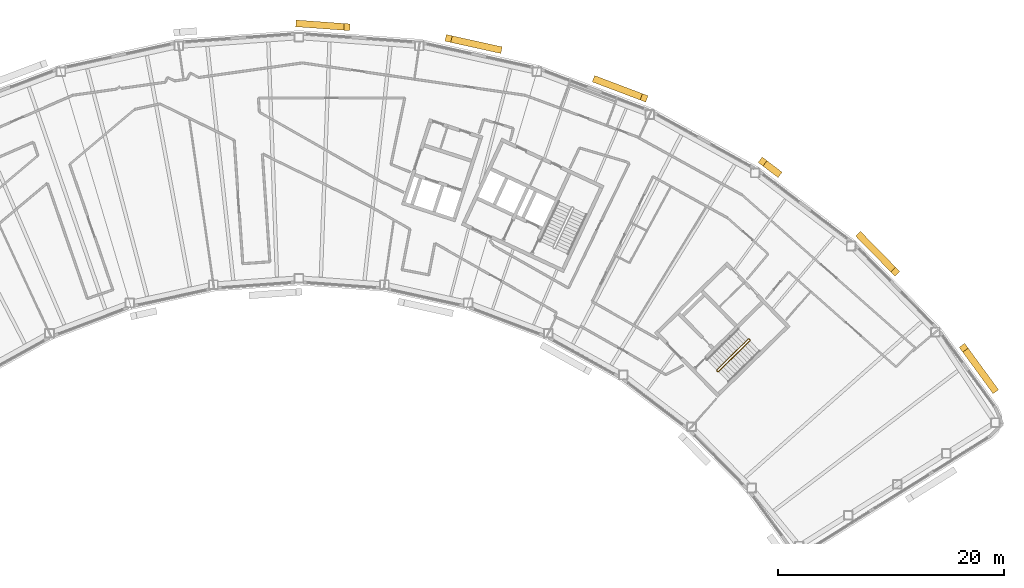
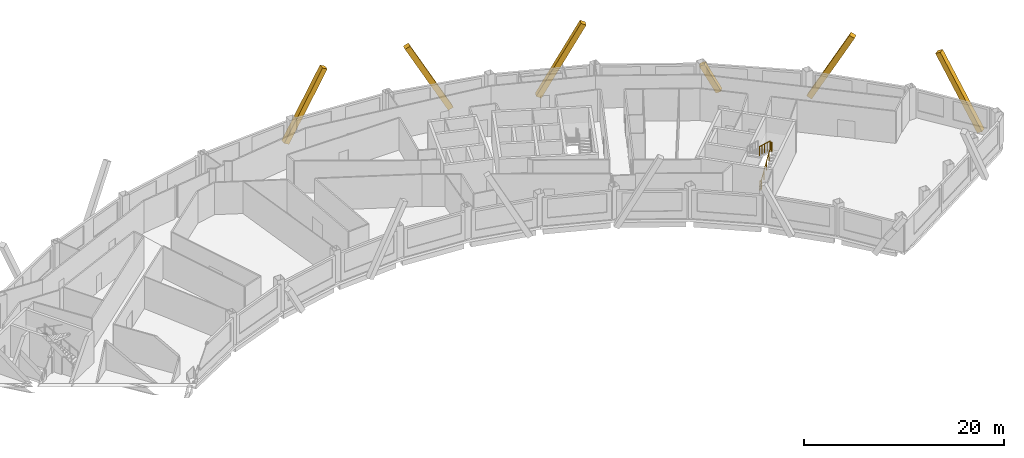
# One storey, part 14 of 14: 6 coverings, 1 railing.
"""IFC4 building model written with IfcOpenShell, lengths in metres."""

from ifc_helpers import new_model, si_unit, direction, frame, origin, origin_2d, place, context, subcontext, project, spatial, rectangle, circle, extrude, material, material_profile, profile_set, type_object, element, save


model = new_model("IFC4")

# Units and contexts
model_context = context("Model", 3, precision=1e-05, world=origin(), true_north=direction((0.0, 1.0)))
body_context = subcontext(model_context, "Body", "Model", "MODEL_VIEW")
ifc_project = project(units=[si_unit("LENGTHUNIT", "METRE"), si_unit("AREAUNIT", "SQUARE_METRE"), si_unit("VOLUMEUNIT", "CUBIC_METRE"), si_unit("PLANEANGLEUNIT", "RADIAN"), si_unit("MASSUNIT", "GRAM", prefix="KILO")], contexts=[model_context])

# Site, building, storey
site_placement = place(None, origin())
site = spatial("IfcSite", under=ifc_project, at=site_placement, CompositionType="ELEMENT")
building_placement = place(site_placement, origin())
building = spatial("IfcBuilding", under=site, at=building_placement, Name="Tuul Gate Civic Tower", CompositionType="ELEMENT")
storey_placement = place(building_placement, frame((0.0, 0.0, 256.800048828125)))
storey = spatial("IfcBuildingStorey", under=building, at=storey_placement, Name="Level 58", CompositionType="ELEMENT", Elevation=256.800048828125)

# Railing
ifc_material_1 = material(Name="Painted steel", Category="steel")
railing_type = type_object("IfcRailingType", Name="Stair guard", PredefinedType="GUARDRAIL", material=ifc_material_1)
railing_placement = place(storey_placement, frame((48.10546875, -16.134765625, 0.0)))
element("IfcRailing", 1, at=railing_placement, inside=storey, type_object=railing_type, Name="Level 58 ST-3 stair guard 1", PredefinedType="GUARDRAIL", context=body_context, shape_type="SweptSolid", body=[
    extrude(circle(Radius=0.02392578125, at=origin_2d()), frame((0.0, 0.0, 1.076171875), z_axis=(-0.698506948293, 0.715603272202, 0.0), x_axis=(-0.715603272202, -0.698506948293, 0.0)), (0.0, 0.0, 1.0), 0.099853515625),
    extrude(circle(Radius=0.02392578125, at=origin_2d()), frame((-0.06982421875, 0.071533203125, 1.076171875), z_axis=(0.645446321009, -0.331687692741, 0.688027849131), x_axis=(0.457068866502, 0.889431307788, 0.0)), (0.0, 0.0, 1.0), 0.2177734375),
    extrude(circle(Radius=0.02392578125, at=origin_2d()), frame((0.07080078125, -0.000732421875, 1.22607421875), z_axis=(0.638731261263, 0.626133563701, 0.447190268558), x_axis=(-0.700029477518, 0.714113947914, 0.0)), (0.0, 0.0, 1.0), 4.3603515625),
    extrude(circle(Radius=0.02392578125, at=origin_2d()), frame((2.85595703125, 2.7294921875, 3.17578125), z_axis=(0.010380063588, 0.999946125689, 0.0), x_axis=(-0.999946125689, 0.010380063588, 0.0)), (0.0, 0.0, 1.0), 0.070556640625),
    extrude(circle(Radius=0.02392578125, at=origin_2d()), frame((2.856689453125, 2.800048828125, 3.17578125), z_axis=(-0.699754442181, 0.714383454909, 0.0), x_axis=(-0.714383454909, -0.699754442181, 0.0)), (0.0, 0.0, 1.0), 0.10009765625),
    extrude(circle(Radius=0.02392578125, at=origin_2d()), frame((2.78662109375, 2.87158203125, 3.17578125), z_axis=(-0.426501027327, 0.004412079593, 0.904476316574), x_axis=(-0.010344274102, -0.999946496565, 0.0)), (0.0, 0.0, 1.0), 0.166015625),
    extrude(circle(Radius=0.02392578125, at=origin_2d()), frame((2.7158203125, 2.872314453125, 3.326171875), z_axis=(-0.638731261263, -0.626133563701, 0.447190268558), x_axis=(0.700029477518, -0.714113947914, 0.0)), (0.0, 0.0, 1.0), 4.3603515625),
    extrude(circle(Radius=0.02099609375, at=origin_2d()), origin(), (0.0, 0.0, 1.0), 1.052001953125),
    extrude(circle(Radius=0.02099609375, at=origin_2d()), frame((-0.06982421875, 0.071533203125, 0.0)), (0.0, 0.0, 1.0), 1.052001953125),
    extrude(circle(Radius=0.02099609375, at=origin_2d()), frame((0.07080078125, -0.000732421875, 0.14990234375)), (0.0, 0.0, 1.0), 1.052001953125),
    extrude(circle(Radius=0.02099609375, at=origin_2d()), frame((0.76708984375, 0.681884765625, 0.637451171875)), (0.0, 0.0, 1.0), 1.052001953125),
    extrude(circle(Radius=0.02099609375, at=origin_2d()), frame((1.46337890625, 1.3642578125, 1.125)), (0.0, 0.0, 1.0), 1.052001953125),
    extrude(circle(Radius=0.02099609375, at=origin_2d()), frame((2.15966796875, 2.046875, 1.6123046875)), (0.0, 0.0, 1.0), 1.052001953125),
    extrude(circle(Radius=0.02099609375, at=origin_2d()), frame((2.85595703125, 2.7294921875, 2.099853515625)), (0.0, 0.0, 1.0), 1.052001953125),
    extrude(circle(Radius=0.02099609375, at=origin_2d()), frame((2.856689453125, 2.800048828125, 2.099853515625)), (0.0, 0.0, 1.0), 1.052001953125),
    extrude(circle(Radius=0.02099609375, at=origin_2d()), frame((2.78662109375, 2.87158203125, 2.099853515625)), (0.0, 0.0, 1.0), 1.052001953125),
    extrude(circle(Radius=0.02099609375, at=origin_2d()), frame((2.7158203125, 2.872314453125, 2.25)), (0.0, 0.0, 1.0), 1.052001953125),
    extrude(circle(Radius=0.02099609375, at=origin_2d()), frame((2.01953125, 2.189697265625, 2.737548828125)), (0.0, 0.0, 1.0), 1.052001953125),
    extrude(circle(Radius=0.02099609375, at=origin_2d()), frame((1.3232421875, 1.50732421875, 3.22509765625)), (0.0, 0.0, 1.0), 1.052001953125),
    extrude(circle(Radius=0.02099609375, at=origin_2d()), frame((0.626953125, 0.82470703125, 3.71240234375)), (0.0, 0.0, 1.0), 1.052001953125),
    extrude(circle(Radius=0.02099609375, at=origin_2d()), frame((-0.0693359375, 0.14208984375, 4.199951171875)), (0.0, 0.0, 1.0), 1.052001953125),
])

# Coverings
ifc_material_2 = material(Name="Terracotta baguette", Category="masonry")
ifc_material_profile = material_profile(ifc_material_2, rectangle(XDim=0.60009765625, YDim=0.60009765625, at=origin_2d()), Name="Terracotta baguette screen frame")
ifc_profile_set = profile_set([ifc_material_profile], Name="Terracotta baguette")
covering_type = type_object("IfcCoveringType", Name="Terracotta baguette screen frame", PredefinedType="CLADDING", material=ifc_profile_set)
covering_1_placement = place(storey_placement, frame((72.5908203125, -17.710205078125, -0.35009765625), z_axis=(-0.2813642373, 0.385225062434, 0.878883278508), x_axis=(-0.807537279361, -0.589816532866, 0.0)))
element("IfcCovering", 2, at=covering_1_placement, inside=storey, type_object=covering_type, Name="Baguette 18", PredefinedType="CLADDING", context=body_context, shape_type="SweptSolid", body=[
    extrude(rectangle(XDim=0.60009765625, YDim=0.60009765625, at=origin_2d()), origin(), (0.0, 0.0, 1.0), 9.557861328125),
])
covering_2_placement = place(storey_placement, frame((63.83642578125, -7.2890625, 8.050048828125), z_axis=(-0.332599597015, 0.339331959798, -0.879904159057), x_axis=(-0.714155733534, -0.699986848634, 0.0)))
element("IfcCovering", 3, at=covering_2_placement, inside=storey, type_object=covering_type, Name="Baguette 27", PredefinedType="CLADDING", context=body_context, shape_type="SweptSolid", body=[
    extrude(rectangle(XDim=0.60009765625, YDim=0.60009765625, at=origin_2d()), origin(), (0.0, 0.0, 1.0), 9.35595703125),
])
covering_3_placement = place(storey_placement, frame((53.43408203125, 1.436279296875, -0.35009765625), z_axis=(-0.37809285953, 0.287779458799, 0.879902706363), x_axis=(-0.605655261716, -0.795727154215, 0.0)))
element("IfcCovering", 4, at=covering_3_placement, inside=storey, type_object=covering_type, Name="Baguette 39", PredefinedType="CLADDING", context=body_context, shape_type="SweptSolid", body=[
    extrude(rectangle(XDim=0.60009765625, YDim=0.60009765625, at=origin_2d()), origin(), (0.0, 0.0, 1.0), 3.552001953125),
])
covering_4_placement = place(storey_placement, frame((41.599853515625, 8.09765625, 8.050048828125), z_axis=(-0.444439006593, 0.168067964286, -0.879901772245), x_axis=(-0.353711403676, -0.935354608108, 0.0)))
element("IfcCovering", 5, at=covering_4_placement, inside=storey, type_object=covering_type, Name="Baguette 51", PredefinedType="CLADDING", context=body_context, shape_type="SweptSolid", body=[
    extrude(rectangle(XDim=0.60009765625, YDim=0.60009765625, at=origin_2d()), origin(), (0.0, 0.0, 1.0), 9.546630859375),
])
covering_5_placement = place(storey_placement, frame((28.71337890625, 12.38134765625, -0.35009765625), z_axis=(-0.464046397095, 0.102266149123, 0.879887820172), x_axis=(-0.215214937511, -0.976566705695, 0.0)))
element("IfcCovering", 6, at=covering_5_placement, inside=storey, type_object=covering_type, Name="Baguette 60", PredefinedType="CLADDING", context=body_context, shape_type="SweptSolid", body=[
    extrude(rectangle(XDim=0.60009765625, YDim=0.60009765625, at=origin_2d()), origin(), (0.0, 0.0, 1.0), 9.546875),
])
covering_6_placement = place(storey_placement, frame((15.286376953125, 14.368896484375, 8.050048828125), z_axis=(-0.473911437087, 0.034313036925, -0.879903725015), x_axis=(-0.072214861862, -0.99738909846, 0.0)))
element("IfcCovering", 7, at=covering_6_placement, inside=storey, type_object=covering_type, Name="Baguette 69", PredefinedType="CLADDING", context=body_context, shape_type="SweptSolid", body=[
    extrude(rectangle(XDim=0.60009765625, YDim=0.60009765625, at=origin_2d()), origin(), (0.0, 0.0, 1.0), 8.979248046875),
])

save(model, "model.ifc")
